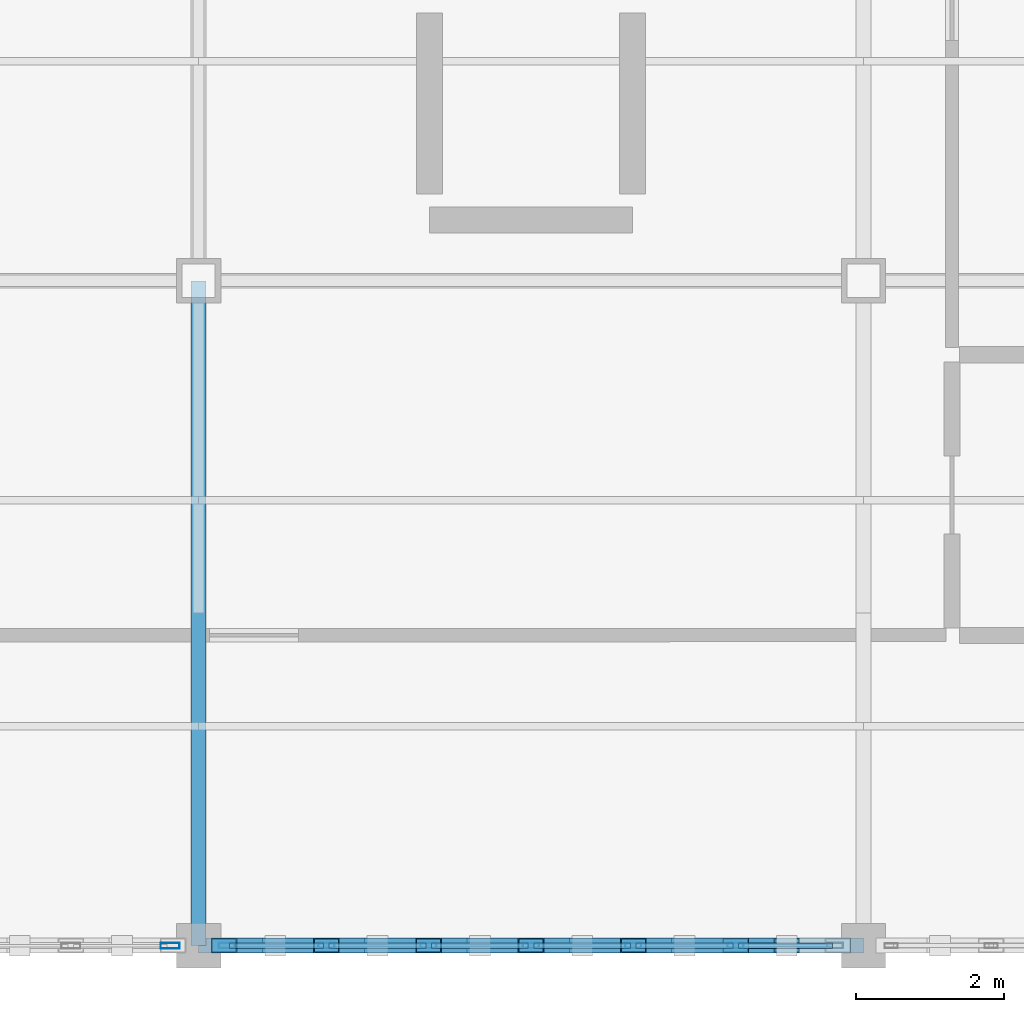
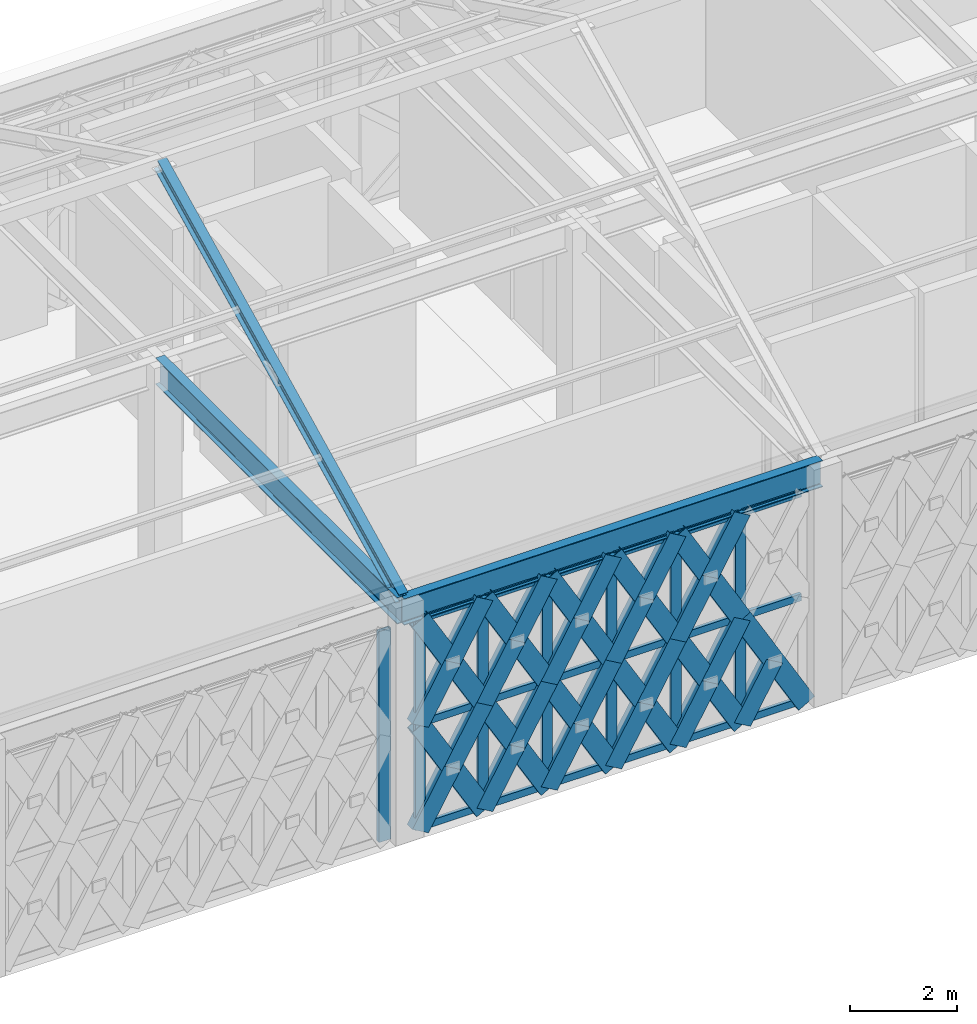
# One storey, part 7 of 32: 58 members, 2 beams, 2 elements without a shape of their own.
"""IFC4 building model written with IfcOpenShell, lengths in metres."""

import ifcopenshell
import ifcopenshell.guid

model = None  # the IFC model being written
_history = None  # IfcOwnerHistory: only IFC2X3 demands one
_inside = {}  # id of a spatial element -> (the spatial element, [elements in it])
_under = {}  # id of a project, library or spatial element -> (it, [spatial elements below it])
_declared = {}  # id of a project -> (the project, [libraries it declares])
_typed = {}  # id of a type object -> (the type object, [elements of that type])
_made_of = {}  # id of a material, layer set ... -> (it, [elements and type objects made of it])


def new_model(schema):
    """Start an empty IFC model of exactly this schema.

    Asked for "IFC4X3", IfcOpenShell would pick the latest addendum, in which some entities
    have other attributes; the version numbers below select the first issue.
    IFC2X3 requires an IfcOwnerHistory on every rooted entity: one is made here for all.
    """
    global model, _history
    if schema == "IFC4X3":
        model = ifcopenshell.file(schema_version=(4, 3, 0, 0))
    else:
        model = ifcopenshell.file(schema=schema)
    _inside.clear()
    _under.clear()
    _declared.clear()
    _typed.clear()
    _made_of.clear()
    _history = None
    if model.schema == "IFC2X3":
        org = make("IfcOrganization", Name="unknown")
        user = make(
            "IfcPersonAndOrganization",
            ThePerson=make("IfcPerson", FamilyName="unknown"),
            TheOrganization=org,
        )
        app = make(
            "IfcApplication",
            ApplicationDeveloper=org,
            Version="unknown",
            ApplicationFullName="unknown",
            ApplicationIdentifier="unknown",
        )
        _history = make(
            "IfcOwnerHistory",
            OwningUser=user,
            OwningApplication=app,
            ChangeAction="ADDED",
            CreationDate=0,
        )
    return model


def make(cls, **values):
    """One entity of the class cls with the attributes given. An attribute that is None is left unset."""
    return model.create_entity(
        cls, **{name: value for name, value in values.items() if value is not None}
    )


def rooted(cls, **values):
    """An entity with a GlobalId (a new one), such as an element, a storey or a relation."""
    return make(cls, GlobalId=ifcopenshell.guid.new(), OwnerHistory=_history, **values)


def si_unit(unit_type, name, prefix=None):
    """IfcSIUnit, for example si_unit("LENGTHUNIT", "METRE", prefix="MILLI")."""
    return make("IfcSIUnit", UnitType=unit_type, Prefix=prefix, Name=name)


def assignment(units):
    """IfcUnitAssignment: the units of a project."""
    return None if units is None else make("IfcUnitAssignment", Units=units)


def point(xyz):
    """IfcCartesianPoint."""
    return None if xyz is None else make("IfcCartesianPoint", Coordinates=xyz)


def direction(xyz):
    """IfcDirection."""
    return None if xyz is None else make("IfcDirection", DirectionRatios=xyz)


def frame(location, z_axis=None, x_axis=None):
    """IfcAxis2Placement3D, a coordinate frame: its origin and axes. An axis left out is left unset."""
    return make(
        "IfcAxis2Placement3D",
        Location=point(location),
        Axis=direction(z_axis),
        RefDirection=direction(x_axis),
    )


def frame_2d(location, x_axis=None):
    """IfcAxis2Placement2D, a coordinate frame in the plane: its origin and x axis."""
    return make(
        "IfcAxis2Placement2D", Location=point(location), RefDirection=direction(x_axis)
    )


def origin():
    """The frame at (0, 0, 0) with its axes left unset."""
    return frame((0.0, 0.0, 0.0))


def origin_2d():
    """The frame at (0, 0) in the plane with its x axis left unset."""
    return frame_2d((0.0, 0.0))


def place(relative_to, where):
    """IfcLocalPlacement: puts the frame where relative to a parent placement (None: the world)."""
    return make(
        "IfcLocalPlacement", PlacementRelTo=relative_to, RelativePlacement=where
    )


def context(
    kind, dimensions, precision=None, world=None, true_north=None, identifier=None
):
    """IfcGeometricRepresentationContext, for example the 3D "Model" context."""
    return make(
        "IfcGeometricRepresentationContext",
        ContextIdentifier=identifier,
        ContextType=kind,
        CoordinateSpaceDimension=dimensions,
        Precision=precision,
        WorldCoordinateSystem=world,
        TrueNorth=true_north,
    )


def subcontext(parent, identifier, kind, view, scale=None):
    """IfcGeometricRepresentationSubContext, for example "Body" below "Model"."""
    return make(
        "IfcGeometricRepresentationSubContext",
        ContextIdentifier=identifier,
        ContextType=kind,
        ParentContext=parent,
        TargetScale=scale,
        TargetView=view,
    )


def project(units=None, contexts=None):
    """IfcProject with its units and contexts."""
    return rooted(
        "IfcProject",
        Name="project",
        RepresentationContexts=contexts,
        UnitsInContext=assignment(units),
    )


def spatial(cls, under=None, at=None, **own):
    """A site, building, storey or space (cls), placed at a placement, below another one or the project."""
    s = rooted(cls, ObjectPlacement=at, **own)
    if under is not None:
        _under.setdefault(under.id(), (under, []))[1].append(s)
    return s


def profile(cls, at=None, kind="AREA", **sizes):
    """A parametric profile (cls). Its sizes go by their IFC names, for example OverallWidth=200.0."""
    return make(cls, ProfileType=kind, Position=at, **sizes)


def hollow_rectangle(**sizes):
    """IfcRectangleHollowProfileDef."""
    return profile("IfcRectangleHollowProfileDef", **sizes)


def i_section(**sizes):
    """IfcIShapeProfileDef."""
    return profile("IfcIShapeProfileDef", **sizes)


def extrude(swept, where, along, depth):
    """IfcExtrudedAreaSolid: the profile swept, set in the frame where, extruded along a direction by depth."""
    return make(
        "IfcExtrudedAreaSolid",
        SweptArea=swept,
        Position=where,
        ExtrudedDirection=direction(along),
        Depth=depth,
    )


def shape(context_of_items, identifier, shape_type, items):
    """IfcShapeRepresentation: the items that make up one representation, for example the "Body"."""
    return make(
        "IfcShapeRepresentation",
        ContextOfItems=context_of_items,
        RepresentationIdentifier=identifier,
        RepresentationType=shape_type,
        Items=items,
    )


def material(Name=None, Category=None):
    """IfcMaterial."""
    return make("IfcMaterial", Name=Name, Category=Category)


def material_profile(
    of_material, cross_section, Name=None, Category=None, Priority=None
):
    """IfcMaterialProfile: a cross section and its material."""
    return make(
        "IfcMaterialProfile",
        Name=Name,
        Material=of_material,
        Profile=cross_section,
        Priority=Priority,
        Category=Category,
    )


def profile_set(profiles, Name=None, composite=None):
    """IfcMaterialProfileSet."""
    return make(
        "IfcMaterialProfileSet",
        Name=Name,
        MaterialProfiles=profiles,
        CompositeProfile=composite,
    )


def made_of(thing, what):
    """Note that an element or type object is made of a material, layer set ...; save() writes the relation."""
    if what is not None:
        _made_of.setdefault(what.id(), (what, []))[1].append(thing)
    return thing


def type_object(cls, material=None, **own):
    """A type object (cls), such as IfcWallType, which elements share."""
    return made_of(rooted(cls, **own), material)


def element(
    cls,
    number,
    at=None,
    inside=None,
    cuts=None,
    type_object=None,
    material=None,
    context=None,
    identifier="Body",
    shape_type=None,
    held_by="IfcProductDefinitionShape",
    body=None,
    shapes=None,
    **own,
):
    """One element of the class cls, such as IfcWall. Its Tag is "e" and its number.

    at: its placement. inside: the storey or other place that contains it. cuts: it is an
    opening in that element (IfcRelVoidsElement). A single representation is given by context,
    identifier, shape_type and body (its items); several are given by shapes. held_by: the class
    of the entity that holds the representations. save() writes the other relations.
    """
    e = rooted(cls, Tag="e%d" % number, ObjectPlacement=at, **own)
    if body is not None:
        shapes = [shape(context, identifier, shape_type, body)]
    if shapes is not None:
        e.Representation = make(held_by, Representations=shapes)
    if inside is not None:
        _inside.setdefault(inside.id(), (inside, []))[1].append(e)
    if cuts is not None:
        rooted(
            "IfcRelVoidsElement", RelatingBuildingElement=cuts, RelatedOpeningElement=e
        )
    if type_object is not None:
        _typed.setdefault(type_object.id(), (type_object, []))[1].append(e)
    return made_of(e, material)


def aggregate(whole, parts):
    """IfcRelAggregates: a whole, such as a stair, and the parts it consists of."""
    return rooted("IfcRelAggregates", RelatingObject=whole, RelatedObjects=parts)


def save(model, path):
    """Write the relations noted so far, then the file.

    IfcRelAggregates (storeys below a building ...), IfcRelContainedInSpatialStructure (elements
    in a storey), IfcRelDefinesByType, IfcRelAssociatesMaterial and IfcRelDeclares: one each for
    every whole, place, type object, material and project.
    """
    for whole, parts in _under.values():
        aggregate(whole, parts)
    for where, things in _inside.values():
        rooted(
            "IfcRelContainedInSpatialStructure",
            RelatedElements=things,
            RelatingStructure=where,
        )
    for kind, things in _typed.values():
        rooted("IfcRelDefinesByType", RelatedObjects=things, RelatingType=kind)
    for what, things in _made_of.values():
        rooted("IfcRelAssociatesMaterial", RelatedObjects=things, RelatingMaterial=what)
    for by, libraries in _declared.values():
        rooted("IfcRelDeclares", RelatingContext=by, RelatedDefinitions=libraries)
    model.write(path)


model = new_model("IFC4")

# Units and contexts
model_context = context("Model", 3, precision=1e-05, world=origin(), true_north=direction((0.0, 1.0)))
body_context = subcontext(model_context, "Body", "Model", "MODEL_VIEW")
ifc_project = project(units=[si_unit("LENGTHUNIT", "METRE"), si_unit("AREAUNIT", "SQUARE_METRE"), si_unit("VOLUMEUNIT", "CUBIC_METRE"), si_unit("PLANEANGLEUNIT", "RADIAN"), si_unit("MASSUNIT", "GRAM", prefix="KILO")], contexts=[model_context])

# Site, building, storey
site_placement = place(None, origin())
site = spatial("IfcSite", under=ifc_project, at=site_placement, CompositionType="ELEMENT")
building_placement = place(site_placement, origin())
building = spatial("IfcBuilding", under=site, at=building_placement, Name="Haizhuo Lancet Aquarium", CompositionType="ELEMENT")
storey_placement = place(building_placement, frame((0.0, 0.0, 27.0)))
storey = spatial("IfcBuildingStorey", under=building, at=storey_placement, Name="L05", CompositionType="ELEMENT", Elevation=27.0)

# Beams
ifc_material_1 = material(Name="Steel S355", Category="steel")
ifc_material_profile_1 = material_profile(ifc_material_1, i_section(OverallWidth=0.199951171875, OverallDepth=0.60009765625, WebThickness=0.010986328125, FlangeThickness=0.01708984375, FilletRadius=0.02197265625, at=origin_2d()), Name="HN 600x200x11x17")
ifc_profile_set_1 = profile_set([ifc_material_profile_1], Name="Steel S355")
beam_type = type_object("IfcBeamType", Name="BM-ST-HN600", PredefinedType="BEAM", material=ifc_profile_set_1)
for number, where, z_axis, x_axis, name in (
    (1, (-63.0, -27.0, 5.10009765625), (0.0, 1.0, 0.0), (-1.0, 0.0, 0.0), "L05 V6 primary girder BM-L05-V6-009"),
    (2, (-63.0, -27.0, 5.10009765625), (1.0, 0.0, 0.0), (0.0, 1.0, 0.0), "L05 V6 primary girder BM-L05-V6-010"),
):
    element("IfcBeam", number, at=place(storey_placement, frame(where, z_axis=z_axis, x_axis=x_axis)), inside=storey, type_object=beam_type, Name=name, PredefinedType="BEAM", context=body_context, shape_type="SweptSolid", body=[
        extrude(i_section(OverallWidth=0.199951171875, OverallDepth=0.60009765625, WebThickness=0.010986328125, FlangeThickness=0.01708984375, FilletRadius=0.02197265625, at=origin_2d()), origin(), (0.0, 0.0, 1.0), 9.0),
    ])

# Curtain wall, members
ifc_material_2 = material(Name="Aluminium 6063-T6", Category="aluminium")
curtain_wall_type = type_object("IfcCurtainWallType", Name="CWD-8310x4800", PredefinedType="NOTDEFINED", material=ifc_material_2)
curtain_wall_1_placement = place(storey_placement, origin())
curtain_wall_1 = element("IfcCurtainWall", 3, at=curtain_wall_1_placement, inside=storey, type_object=curtain_wall_type, Name="L05 curtain wall CW-V6-L05-269", PredefinedType="NOTDEFINED")
ifc_material_profile_2 = material_profile(ifc_material_2, hollow_rectangle(XDim=0.074951171875, YDim=0.219970703125, WallThickness=0.0048828125, at=origin_2d()), Name="ALU-M 75x220x5")
ifc_profile_set_2 = profile_set([ifc_material_profile_2], Name="Aluminium 6063-T6")
member_type_1 = type_object("IfcMemberType", Name="CW-MUL-2", PredefinedType="MULLION", material=ifc_profile_set_2)
member_1_placement = place(storey_placement, frame((-55.72998046875, -27.0, 0.0), z_axis=(0.0, 0.0, 1.0), x_axis=(0.0, -1.0, 0.0)))
member_1 = element("IfcMember", 4, at=member_1_placement, type_object=member_type_1, Name="CWD-83x48 mullion 2", PredefinedType="MULLION", context=body_context, shape_type="SweptSolid", body=[
    extrude(hollow_rectangle(XDim=0.074951171875, YDim=0.219970703125, WallThickness=0.0048828125, at=origin_2d()), origin(), (0.0, 0.0, 1.0), 4.800048828125),
])
member_2_placement = place(storey_placement, frame((-57.114990234375, -27.0, 0.0), z_axis=(0.0, 0.0, 1.0), x_axis=(0.0, -1.0, 0.0)))
member_2 = element("IfcMember", 5, at=member_2_placement, type_object=member_type_1, Name="CWD-83x48 mullion 3", PredefinedType="MULLION", context=body_context, shape_type="SweptSolid", body=[
    extrude(hollow_rectangle(XDim=0.074951171875, YDim=0.219970703125, WallThickness=0.0048828125, at=origin_2d()), origin(), (0.0, 0.0, 1.0), 4.800048828125),
])
member_3_placement = place(storey_placement, frame((-58.5, -27.0, 0.0), z_axis=(0.0, 0.0, 1.0), x_axis=(0.0, -1.0, 0.0)))
member_3 = element("IfcMember", 6, at=member_3_placement, type_object=member_type_1, Name="CWD-83x48 mullion 4", PredefinedType="MULLION", context=body_context, shape_type="SweptSolid", body=[
    extrude(hollow_rectangle(XDim=0.074951171875, YDim=0.219970703125, WallThickness=0.0048828125, at=origin_2d()), origin(), (0.0, 0.0, 1.0), 4.800048828125),
])
member_4_placement = place(storey_placement, frame((-59.885009765625, -27.0, 0.0), z_axis=(0.0, 0.0, 1.0), x_axis=(0.0, -1.0, 0.0)))
member_4 = element("IfcMember", 7, at=member_4_placement, type_object=member_type_1, Name="CWD-83x48 mullion 5", PredefinedType="MULLION", context=body_context, shape_type="SweptSolid", body=[
    extrude(hollow_rectangle(XDim=0.074951171875, YDim=0.219970703125, WallThickness=0.0048828125, at=origin_2d()), origin(), (0.0, 0.0, 1.0), 4.800048828125),
])
member_5_placement = place(storey_placement, frame((-61.27001953125, -27.0, 0.0), z_axis=(0.0, 0.0, 1.0), x_axis=(0.0, -1.0, 0.0)))
member_5 = element("IfcMember", 8, at=member_5_placement, type_object=member_type_1, Name="CWD-83x48 mullion 6", PredefinedType="MULLION", context=body_context, shape_type="SweptSolid", body=[
    extrude(hollow_rectangle(XDim=0.074951171875, YDim=0.219970703125, WallThickness=0.0048828125, at=origin_2d()), origin(), (0.0, 0.0, 1.0), 4.800048828125),
])
member_6_placement = place(storey_placement, frame((-62.616943359375, -27.0, 0.0), z_axis=(0.0, 0.0, 1.0), x_axis=(0.0, -1.0, 0.0)))
member_6 = element("IfcMember", 9, at=member_6_placement, type_object=member_type_1, Name="CWD-83x48 mullion 7", PredefinedType="MULLION", context=body_context, shape_type="SweptSolid", body=[
    extrude(hollow_rectangle(XDim=0.074951171875, YDim=0.219970703125, WallThickness=0.0048828125, at=origin_2d()), origin(), (0.0, 0.0, 1.0), 4.800048828125),
])

# Curtain wall, member
curtain_wall_2_placement = place(storey_placement, origin())
curtain_wall_2 = element("IfcCurtainWall", 10, at=curtain_wall_2_placement, inside=storey, type_object=curtain_wall_type, Name="L05 curtain wall CW-V6-L05-270", PredefinedType="NOTDEFINED")
ifc_material_profile_3 = material_profile(ifc_material_2, hollow_rectangle(XDim=0.080078125, YDim=0.260009765625, WallThickness=0.0048828125, at=origin_2d()), Name="ALU-M 80x260x5")
ifc_profile_set_3 = profile_set([ifc_material_profile_3], Name="Aluminium 6063-T6")
member_type_2 = type_object("IfcMemberType", Name="CW-MUL-3", PredefinedType="MULLION", material=ifc_profile_set_3)
member_7_placement = place(storey_placement, frame((-63.385009765625, -27.0, 0.0), z_axis=(0.0, 0.0, 1.0), x_axis=(0.0, -1.0, 0.0)))
member_7 = element("IfcMember", 11, at=member_7_placement, type_object=member_type_2, Name="CWD-83x48 mullion 1", PredefinedType="MULLION", context=body_context, shape_type="SweptSolid", body=[
    extrude(hollow_rectangle(XDim=0.080078125, YDim=0.260009765625, WallThickness=0.0048828125, at=origin_2d()), origin(), (0.0, 0.0, 1.0), 4.800048828125),
])
aggregate(curtain_wall_2, [member_7])

# Member
ifc_material_profile_4 = material_profile(ifc_material_2, hollow_rectangle(XDim=0.074951171875, YDim=0.159912109375, WallThickness=0.00390625, at=origin_2d()), Name="ALU-T 75x160x4")
ifc_profile_set_4 = profile_set([ifc_material_profile_4], Name="Aluminium 6063-T6")
member_type_3 = type_object("IfcMemberType", Name="CW-TRN-2", PredefinedType="NOTDEFINED", material=ifc_profile_set_4)
member_8_placement = place(storey_placement, frame((-54.419921875, -27.0, 0.0380859375), z_axis=(-1.0, 0.0, 0.0), x_axis=(0.0, -1.0, 0.0)))
member_8 = element("IfcMember", 12, at=member_8_placement, type_object=member_type_3, Name="CWD-83x48 transom 1.1", ObjectType="TRANSOM", PredefinedType="USERDEFINED", context=body_context, shape_type="SweptSolid", body=[
    extrude(hollow_rectangle(XDim=0.074951171875, YDim=0.159912109375, WallThickness=0.00390625, at=origin_2d()), origin(), (0.0, 0.0, 1.0), 1.273193359375),
])

member_9_placement = place(storey_placement, frame((-54.419921875, -27.0, 2.39990234375), z_axis=(-1.0, 0.0, 0.0), x_axis=(0.0, -1.0, 0.0)))
member_9 = element("IfcMember", 13, at=member_9_placement, type_object=member_type_3, Name="CWD-83x48 transom 1.2", ObjectType="TRANSOM", PredefinedType="USERDEFINED", context=body_context, shape_type="SweptSolid", body=[
    extrude(hollow_rectangle(XDim=0.074951171875, YDim=0.159912109375, WallThickness=0.00390625, at=origin_2d()), origin(), (0.0, 0.0, 1.0), 1.273193359375),
])

member_10_placement = place(storey_placement, frame((-54.419921875, -27.0, 4.761962890625), z_axis=(-1.0, 0.0, 0.0), x_axis=(0.0, -1.0, 0.0)))
member_10 = element("IfcMember", 14, at=member_10_placement, type_object=member_type_3, Name="CWD-83x48 transom 1.3", ObjectType="TRANSOM", PredefinedType="USERDEFINED", context=body_context, shape_type="SweptSolid", body=[
    extrude(hollow_rectangle(XDim=0.074951171875, YDim=0.159912109375, WallThickness=0.00390625, at=origin_2d()), origin(), (0.0, 0.0, 1.0), 1.273193359375),
])

member_11_placement = place(storey_placement, frame((-55.76708984375, -27.0, 0.0380859375), z_axis=(-1.0, 0.0, 0.0), x_axis=(0.0, -1.0, 0.0)))
member_11 = element("IfcMember", 15, at=member_11_placement, type_object=member_type_3, Name="CWD-83x48 transom 2.1", ObjectType="TRANSOM", PredefinedType="USERDEFINED", context=body_context, shape_type="SweptSolid", body=[
    extrude(hollow_rectangle(XDim=0.074951171875, YDim=0.159912109375, WallThickness=0.00390625, at=origin_2d()), origin(), (0.0, 0.0, 1.0), 1.310791015625),
])

member_12_placement = place(storey_placement, frame((-55.76708984375, -27.0, 2.39990234375), z_axis=(-1.0, 0.0, 0.0), x_axis=(0.0, -1.0, 0.0)))
member_12 = element("IfcMember", 16, at=member_12_placement, type_object=member_type_3, Name="CWD-83x48 transom 2.2", ObjectType="TRANSOM", PredefinedType="USERDEFINED", context=body_context, shape_type="SweptSolid", body=[
    extrude(hollow_rectangle(XDim=0.074951171875, YDim=0.159912109375, WallThickness=0.00390625, at=origin_2d()), origin(), (0.0, 0.0, 1.0), 1.310791015625),
])

member_13_placement = place(storey_placement, frame((-55.76708984375, -27.0, 4.761962890625), z_axis=(-1.0, 0.0, 0.0), x_axis=(0.0, -1.0, 0.0)))
member_13 = element("IfcMember", 17, at=member_13_placement, type_object=member_type_3, Name="CWD-83x48 transom 2.3", ObjectType="TRANSOM", PredefinedType="USERDEFINED", context=body_context, shape_type="SweptSolid", body=[
    extrude(hollow_rectangle(XDim=0.074951171875, YDim=0.159912109375, WallThickness=0.00390625, at=origin_2d()), origin(), (0.0, 0.0, 1.0), 1.310791015625),
])

member_14_placement = place(storey_placement, frame((-57.153076171875, -27.0, 0.0380859375), z_axis=(-1.0, 0.0, 0.0), x_axis=(0.0, -1.0, 0.0)))
member_14 = element("IfcMember", 18, at=member_14_placement, type_object=member_type_3, Name="CWD-83x48 transom 3.1", ObjectType="TRANSOM", PredefinedType="USERDEFINED", context=body_context, shape_type="SweptSolid", body=[
    extrude(hollow_rectangle(XDim=0.074951171875, YDim=0.159912109375, WallThickness=0.00390625, at=origin_2d()), origin(), (0.0, 0.0, 1.0), 1.308837890625),
])

member_15_placement = place(storey_placement, frame((-57.153076171875, -27.0, 2.39990234375), z_axis=(-1.0, 0.0, 0.0), x_axis=(0.0, -1.0, 0.0)))
member_15 = element("IfcMember", 19, at=member_15_placement, type_object=member_type_3, Name="CWD-83x48 transom 3.2", ObjectType="TRANSOM", PredefinedType="USERDEFINED", context=body_context, shape_type="SweptSolid", body=[
    extrude(hollow_rectangle(XDim=0.074951171875, YDim=0.159912109375, WallThickness=0.00390625, at=origin_2d()), origin(), (0.0, 0.0, 1.0), 1.308837890625),
])

member_16_placement = place(storey_placement, frame((-57.153076171875, -27.0, 4.761962890625), z_axis=(-1.0, 0.0, 0.0), x_axis=(0.0, -1.0, 0.0)))
member_16 = element("IfcMember", 20, at=member_16_placement, type_object=member_type_3, Name="CWD-83x48 transom 3.3", ObjectType="TRANSOM", PredefinedType="USERDEFINED", context=body_context, shape_type="SweptSolid", body=[
    extrude(hollow_rectangle(XDim=0.074951171875, YDim=0.159912109375, WallThickness=0.00390625, at=origin_2d()), origin(), (0.0, 0.0, 1.0), 1.308837890625),
])

member_17_placement = place(storey_placement, frame((-58.5380859375, -27.0, 0.0380859375), z_axis=(-1.0, 0.0, 0.0), x_axis=(0.0, -1.0, 0.0)))
member_17 = element("IfcMember", 21, at=member_17_placement, type_object=member_type_3, Name="CWD-83x48 transom 4.1", ObjectType="TRANSOM", PredefinedType="USERDEFINED", context=body_context, shape_type="SweptSolid", body=[
    extrude(hollow_rectangle(XDim=0.074951171875, YDim=0.159912109375, WallThickness=0.00390625, at=origin_2d()), origin(), (0.0, 0.0, 1.0), 1.309814453125),
])

member_18_placement = place(storey_placement, frame((-58.5380859375, -27.0, 2.39990234375), z_axis=(-1.0, 0.0, 0.0), x_axis=(0.0, -1.0, 0.0)))
member_18 = element("IfcMember", 22, at=member_18_placement, type_object=member_type_3, Name="CWD-83x48 transom 4.2", ObjectType="TRANSOM", PredefinedType="USERDEFINED", context=body_context, shape_type="SweptSolid", body=[
    extrude(hollow_rectangle(XDim=0.074951171875, YDim=0.159912109375, WallThickness=0.00390625, at=origin_2d()), origin(), (0.0, 0.0, 1.0), 1.309814453125),
])

member_19_placement = place(storey_placement, frame((-58.5380859375, -27.0, 4.761962890625), z_axis=(-1.0, 0.0, 0.0), x_axis=(0.0, -1.0, 0.0)))
member_19 = element("IfcMember", 23, at=member_19_placement, type_object=member_type_3, Name="CWD-83x48 transom 4.3", ObjectType="TRANSOM", PredefinedType="USERDEFINED", context=body_context, shape_type="SweptSolid", body=[
    extrude(hollow_rectangle(XDim=0.074951171875, YDim=0.159912109375, WallThickness=0.00390625, at=origin_2d()), origin(), (0.0, 0.0, 1.0), 1.309814453125),
])

member_20_placement = place(storey_placement, frame((-59.922119140625, -27.0, 0.0380859375), z_axis=(-1.0, 0.0, 0.0), x_axis=(0.0, -1.0, 0.0)))
member_20 = element("IfcMember", 24, at=member_20_placement, type_object=member_type_3, Name="CWD-83x48 transom 5.1", ObjectType="TRANSOM", PredefinedType="USERDEFINED", context=body_context, shape_type="SweptSolid", body=[
    extrude(hollow_rectangle(XDim=0.074951171875, YDim=0.159912109375, WallThickness=0.00390625, at=origin_2d()), origin(), (0.0, 0.0, 1.0), 1.310791015625),
])

member_21_placement = place(storey_placement, frame((-59.922119140625, -27.0, 2.39990234375), z_axis=(-1.0, 0.0, 0.0), x_axis=(0.0, -1.0, 0.0)))
member_21 = element("IfcMember", 25, at=member_21_placement, type_object=member_type_3, Name="CWD-83x48 transom 5.2", ObjectType="TRANSOM", PredefinedType="USERDEFINED", context=body_context, shape_type="SweptSolid", body=[
    extrude(hollow_rectangle(XDim=0.074951171875, YDim=0.159912109375, WallThickness=0.00390625, at=origin_2d()), origin(), (0.0, 0.0, 1.0), 1.310791015625),
])

member_22_placement = place(storey_placement, frame((-59.922119140625, -27.0, 4.761962890625), z_axis=(-1.0, 0.0, 0.0), x_axis=(0.0, -1.0, 0.0)))
member_22 = element("IfcMember", 26, at=member_22_placement, type_object=member_type_3, Name="CWD-83x48 transom 5.3", ObjectType="TRANSOM", PredefinedType="USERDEFINED", context=body_context, shape_type="SweptSolid", body=[
    extrude(hollow_rectangle(XDim=0.074951171875, YDim=0.159912109375, WallThickness=0.00390625, at=origin_2d()), origin(), (0.0, 0.0, 1.0), 1.310791015625),
])

member_23_placement = place(storey_placement, frame((-61.30810546875, -27.0, 0.0380859375), z_axis=(-1.0, 0.0, 0.0), x_axis=(0.0, -1.0, 0.0)))
member_23 = element("IfcMember", 27, at=member_23_placement, type_object=member_type_3, Name="CWD-83x48 transom 6.1", ObjectType="TRANSOM", PredefinedType="USERDEFINED", context=body_context, shape_type="SweptSolid", body=[
    extrude(hollow_rectangle(XDim=0.074951171875, YDim=0.159912109375, WallThickness=0.00390625, at=origin_2d()), origin(), (0.0, 0.0, 1.0), 1.27197265625),
])

member_24_placement = place(storey_placement, frame((-61.30810546875, -27.0, 2.39990234375), z_axis=(-1.0, 0.0, 0.0), x_axis=(0.0, -1.0, 0.0)))
member_24 = element("IfcMember", 28, at=member_24_placement, type_object=member_type_3, Name="CWD-83x48 transom 6.2", ObjectType="TRANSOM", PredefinedType="USERDEFINED", context=body_context, shape_type="SweptSolid", body=[
    extrude(hollow_rectangle(XDim=0.074951171875, YDim=0.159912109375, WallThickness=0.00390625, at=origin_2d()), origin(), (0.0, 0.0, 1.0), 1.27197265625),
])

member_25_placement = place(storey_placement, frame((-61.30810546875, -27.0, 4.761962890625), z_axis=(-1.0, 0.0, 0.0), x_axis=(0.0, -1.0, 0.0)))
member_25 = element("IfcMember", 29, at=member_25_placement, type_object=member_type_3, Name="CWD-83x48 transom 6.3", ObjectType="TRANSOM", PredefinedType="USERDEFINED", context=body_context, shape_type="SweptSolid", body=[
    extrude(hollow_rectangle(XDim=0.074951171875, YDim=0.159912109375, WallThickness=0.00390625, at=origin_2d()), origin(), (0.0, 0.0, 1.0), 1.27197265625),
])

aggregate(curtain_wall_1, [member_1, member_2, member_3, member_4, member_5, member_6, member_8, member_9, member_10, member_11, member_12, member_13, member_14, member_15, member_16, member_17, member_18, member_19, member_20, member_21, member_22, member_23, member_24, member_25])

# Members
ifc_material_profile_5 = material_profile(ifc_material_1, hollow_rectangle(XDim=0.199951171875, YDim=0.39990234375, WallThickness=0.011962890625, at=origin_2d()), Name="RHS 200x400x12")
ifc_profile_set_5 = profile_set([ifc_material_profile_5], Name="Steel S355")
member_type_4 = type_object("IfcMemberType", Name="MEM-LB-RHS200x400", PredefinedType="BRACE", material=ifc_profile_set_5)
member_26_placement = place(storey_placement, frame((-54.344970703125, -27.0, 0.0), z_axis=(-0.499844491261, 0.0, 0.866115168182), x_axis=(0.0, -1.0, 0.0)))
element("IfcMember", 30, at=member_26_placement, inside=storey, type_object=member_type_4, Name="Gothic lancet continuous diagonal brace CW-V6-L05-269 1A", PredefinedType="BRACE", context=body_context, shape_type="SweptSolid", body=[
    extrude(hollow_rectangle(XDim=0.199951171875, YDim=0.39990234375, WallThickness=0.011962890625, at=origin_2d()), origin(), (0.0, 0.0, 1.0), 2.77099609375),
])
member_27_placement = place(storey_placement, frame((-55.72998046875, -27.0, 0.0), z_axis=(0.500042739161, 0.0, 0.866000726912), x_axis=(0.0, 1.0, 0.0)))
element("IfcMember", 31, at=member_27_placement, inside=storey, type_object=member_type_4, Name="Gothic lancet split diagonal brace CW-V6-L05-269 1B1", PredefinedType="BRACE", context=body_context, shape_type="SweptSolid", body=[
    extrude(hollow_rectangle(XDim=0.199951171875, YDim=0.39990234375, WallThickness=0.011962890625, at=origin_2d()), origin(), (0.0, 0.0, 1.0), 1.3857421875),
])
member_28_placement = place(storey_placement, frame((-55.72998046875, -27.0, 0.0), z_axis=(-0.499844491261, 0.0, 0.866115168182), x_axis=(0.0, -1.0, 0.0)))
element("IfcMember", 32, at=member_28_placement, inside=storey, type_object=member_type_4, Name="Gothic lancet continuous diagonal brace CW-V6-L05-269 3A", PredefinedType="BRACE", context=body_context, shape_type="SweptSolid", body=[
    extrude(hollow_rectangle(XDim=0.199951171875, YDim=0.39990234375, WallThickness=0.011962890625, at=origin_2d()), origin(), (0.0, 0.0, 1.0), 2.77099609375),
])
member_29_placement = place(storey_placement, frame((-57.114990234375, -27.0, 0.0), z_axis=(0.500042739161, 0.0, 0.866000726912), x_axis=(0.0, 1.0, 0.0)))
element("IfcMember", 33, at=member_29_placement, inside=storey, type_object=member_type_4, Name="Gothic lancet split diagonal brace CW-V6-L05-269 3B1", PredefinedType="BRACE", context=body_context, shape_type="SweptSolid", body=[
    extrude(hollow_rectangle(XDim=0.199951171875, YDim=0.39990234375, WallThickness=0.011962890625, at=origin_2d()), origin(), (0.0, 0.0, 1.0), 1.3857421875),
])
member_30_placement = place(storey_placement, frame((-56.422119140625, -27.0, 1.199951171875), z_axis=(0.499646164767, 0.0, 0.866229594296), x_axis=(0.0, 1.0, 0.0)))
element("IfcMember", 34, at=member_30_placement, inside=storey, type_object=member_type_4, Name="Gothic lancet split diagonal brace CW-V6-L05-269 3B2", PredefinedType="BRACE", context=body_context, shape_type="SweptSolid", body=[
    extrude(hollow_rectangle(XDim=0.199951171875, YDim=0.39990234375, WallThickness=0.011962890625, at=origin_2d()), origin(), (0.0, 0.0, 1.0), 1.38525390625),
])
member_31_placement = place(storey_placement, frame((-55.72998046875, -27.0, 2.39990234375), z_axis=(-0.499806349121, 0.0, 0.866137179307), x_axis=(0.0, -1.0, 0.0)))
element("IfcMember", 35, at=member_31_placement, inside=storey, type_object=member_type_4, Name="Gothic lancet continuous diagonal brace CW-V6-L05-269 4A", PredefinedType="BRACE", context=body_context, shape_type="SweptSolid", body=[
    extrude(hollow_rectangle(XDim=0.199951171875, YDim=0.39990234375, WallThickness=0.011962890625, at=origin_2d()), origin(), (0.0, 0.0, 1.0), 2.77099609375),
])
member_32_placement = place(storey_placement, frame((-57.114990234375, -27.0, 2.39990234375), z_axis=(0.499966449638, 0.0, 0.866044773228), x_axis=(0.0, 1.0, 0.0)))
element("IfcMember", 36, at=member_32_placement, inside=storey, type_object=member_type_4, Name="Gothic lancet split diagonal brace CW-V6-L05-269 4B1", PredefinedType="BRACE", context=body_context, shape_type="SweptSolid", body=[
    extrude(hollow_rectangle(XDim=0.199951171875, YDim=0.39990234375, WallThickness=0.011962890625, at=origin_2d()), origin(), (0.0, 0.0, 1.0), 1.3857421875),
])
member_33_placement = place(storey_placement, frame((-56.422119140625, -27.0, 3.60009765625), z_axis=(0.499646164767, 0.0, 0.866229594296), x_axis=(0.0, 1.0, 0.0)))
element("IfcMember", 37, at=member_33_placement, inside=storey, type_object=member_type_4, Name="Gothic lancet split diagonal brace CW-V6-L05-269 4B2", PredefinedType="BRACE", context=body_context, shape_type="SweptSolid", body=[
    extrude(hollow_rectangle(XDim=0.199951171875, YDim=0.39990234375, WallThickness=0.011962890625, at=origin_2d()), origin(), (0.0, 0.0, 1.0), 1.38525390625),
])
member_34_placement = place(storey_placement, frame((-57.114990234375, -27.0, 0.0), z_axis=(-0.499844491261, 0.0, 0.866115168182), x_axis=(0.0, -1.0, 0.0)))
element("IfcMember", 38, at=member_34_placement, inside=storey, type_object=member_type_4, Name="Gothic lancet continuous diagonal brace CW-V6-L05-269 5A", PredefinedType="BRACE", context=body_context, shape_type="SweptSolid", body=[
    extrude(hollow_rectangle(XDim=0.199951171875, YDim=0.39990234375, WallThickness=0.011962890625, at=origin_2d()), origin(), (0.0, 0.0, 1.0), 2.77099609375),
])
member_35_placement = place(storey_placement, frame((-58.5, -27.0, 0.0), z_axis=(0.499513903435, 0.0, 0.86630586993), x_axis=(0.0, 1.0, 0.0)))
element("IfcMember", 39, at=member_35_placement, inside=storey, type_object=member_type_4, Name="Gothic lancet split diagonal brace CW-V6-L05-269 5B1", PredefinedType="BRACE", context=body_context, shape_type="SweptSolid", body=[
    extrude(hollow_rectangle(XDim=0.199951171875, YDim=0.39990234375, WallThickness=0.011962890625, at=origin_2d()), origin(), (0.0, 0.0, 1.0), 1.38525390625),
])
member_36_placement = place(storey_placement, frame((-57.80810546875, -27.0, 1.199951171875), z_axis=(0.500174860769, 0.0, 0.865924424332), x_axis=(0.0, 1.0, 0.0)))
element("IfcMember", 40, at=member_36_placement, inside=storey, type_object=member_type_4, Name="Gothic lancet split diagonal brace CW-V6-L05-269 5B2", PredefinedType="BRACE", context=body_context, shape_type="SweptSolid", body=[
    extrude(hollow_rectangle(XDim=0.199951171875, YDim=0.39990234375, WallThickness=0.011962890625, at=origin_2d()), origin(), (0.0, 0.0, 1.0), 1.3857421875),
])
member_37_placement = place(storey_placement, frame((-57.114990234375, -27.0, 2.39990234375), z_axis=(-0.499806349121, 0.0, 0.866137179307), x_axis=(0.0, -1.0, 0.0)))
element("IfcMember", 41, at=member_37_placement, inside=storey, type_object=member_type_4, Name="Gothic lancet continuous diagonal brace CW-V6-L05-269 6A", PredefinedType="BRACE", context=body_context, shape_type="SweptSolid", body=[
    extrude(hollow_rectangle(XDim=0.199951171875, YDim=0.39990234375, WallThickness=0.011962890625, at=origin_2d()), origin(), (0.0, 0.0, 1.0), 2.77099609375),
])
member_38_placement = place(storey_placement, frame((-58.5, -27.0, 2.39990234375), z_axis=(0.499437640892, 0.0, 0.866349838611), x_axis=(0.0, 1.0, 0.0)))
element("IfcMember", 42, at=member_38_placement, inside=storey, type_object=member_type_4, Name="Gothic lancet split diagonal brace CW-V6-L05-269 6B1", PredefinedType="BRACE", context=body_context, shape_type="SweptSolid", body=[
    extrude(hollow_rectangle(XDim=0.199951171875, YDim=0.39990234375, WallThickness=0.011962890625, at=origin_2d()), origin(), (0.0, 0.0, 1.0), 1.38525390625),
])
member_39_placement = place(storey_placement, frame((-57.80810546875, -27.0, 3.60009765625), z_axis=(0.500174860769, 0.0, 0.865924424332), x_axis=(0.0, 1.0, 0.0)))
element("IfcMember", 43, at=member_39_placement, inside=storey, type_object=member_type_4, Name="Gothic lancet split diagonal brace CW-V6-L05-269 6B2", PredefinedType="BRACE", context=body_context, shape_type="SweptSolid", body=[
    extrude(hollow_rectangle(XDim=0.199951171875, YDim=0.39990234375, WallThickness=0.011962890625, at=origin_2d()), origin(), (0.0, 0.0, 1.0), 1.3857421875),
])
member_40_placement = place(storey_placement, frame((-58.5, -27.0, 0.0), z_axis=(-0.499844491261, 0.0, 0.866115168182), x_axis=(0.0, -1.0, 0.0)))
element("IfcMember", 44, at=member_40_placement, inside=storey, type_object=member_type_4, Name="Gothic lancet continuous diagonal brace CW-V6-L05-269 7A", PredefinedType="BRACE", context=body_context, shape_type="SweptSolid", body=[
    extrude(hollow_rectangle(XDim=0.199951171875, YDim=0.39990234375, WallThickness=0.011962890625, at=origin_2d()), origin(), (0.0, 0.0, 1.0), 2.77099609375),
])
member_41_placement = place(storey_placement, frame((-59.885009765625, -27.0, 0.0), z_axis=(0.500174860769, 0.0, 0.865924424332), x_axis=(0.0, 1.0, 0.0)))
element("IfcMember", 45, at=member_41_placement, inside=storey, type_object=member_type_4, Name="Gothic lancet split diagonal brace CW-V6-L05-269 7B1", PredefinedType="BRACE", context=body_context, shape_type="SweptSolid", body=[
    extrude(hollow_rectangle(XDim=0.199951171875, YDim=0.39990234375, WallThickness=0.011962890625, at=origin_2d()), origin(), (0.0, 0.0, 1.0), 1.3857421875),
])
member_42_placement = place(storey_placement, frame((-59.19189453125, -27.0, 1.199951171875), z_axis=(0.499513903435, 0.0, 0.86630586993), x_axis=(0.0, 1.0, 0.0)))
element("IfcMember", 46, at=member_42_placement, inside=storey, type_object=member_type_4, Name="Gothic lancet split diagonal brace CW-V6-L05-269 7B2", PredefinedType="BRACE", context=body_context, shape_type="SweptSolid", body=[
    extrude(hollow_rectangle(XDim=0.199951171875, YDim=0.39990234375, WallThickness=0.011962890625, at=origin_2d()), origin(), (0.0, 0.0, 1.0), 1.38525390625),
])
member_43_placement = place(storey_placement, frame((-58.5, -27.0, 2.39990234375), z_axis=(-0.499806349121, 0.0, 0.866137179307), x_axis=(0.0, -1.0, 0.0)))
element("IfcMember", 47, at=member_43_placement, inside=storey, type_object=member_type_4, Name="Gothic lancet continuous diagonal brace CW-V6-L05-269 8A", PredefinedType="BRACE", context=body_context, shape_type="SweptSolid", body=[
    extrude(hollow_rectangle(XDim=0.199951171875, YDim=0.39990234375, WallThickness=0.011962890625, at=origin_2d()), origin(), (0.0, 0.0, 1.0), 2.77099609375),
])
member_44_placement = place(storey_placement, frame((-59.885009765625, -27.0, 2.39990234375), z_axis=(0.500098564532, 0.0, 0.865968490046), x_axis=(0.0, 1.0, 0.0)))
element("IfcMember", 48, at=member_44_placement, inside=storey, type_object=member_type_4, Name="Gothic lancet split diagonal brace CW-V6-L05-269 8B1", PredefinedType="BRACE", context=body_context, shape_type="SweptSolid", body=[
    extrude(hollow_rectangle(XDim=0.199951171875, YDim=0.39990234375, WallThickness=0.011962890625, at=origin_2d()), origin(), (0.0, 0.0, 1.0), 1.385986328125),
])
member_45_placement = place(storey_placement, frame((-59.19189453125, -27.0, 3.60009765625), z_axis=(0.499513903435, 0.0, 0.86630586993), x_axis=(0.0, 1.0, 0.0)))
element("IfcMember", 49, at=member_45_placement, inside=storey, type_object=member_type_4, Name="Gothic lancet split diagonal brace CW-V6-L05-269 8B2", PredefinedType="BRACE", context=body_context, shape_type="SweptSolid", body=[
    extrude(hollow_rectangle(XDim=0.199951171875, YDim=0.39990234375, WallThickness=0.011962890625, at=origin_2d()), origin(), (0.0, 0.0, 1.0), 1.38525390625),
])
member_46_placement = place(storey_placement, frame((-59.885009765625, -27.0, 0.0), z_axis=(-0.499844491261, 0.0, 0.866115168182), x_axis=(0.0, -1.0, 0.0)))
element("IfcMember", 50, at=member_46_placement, inside=storey, type_object=member_type_4, Name="Gothic lancet continuous diagonal brace CW-V6-L05-269 9A", PredefinedType="BRACE", context=body_context, shape_type="SweptSolid", body=[
    extrude(hollow_rectangle(XDim=0.199951171875, YDim=0.39990234375, WallThickness=0.011962890625, at=origin_2d()), origin(), (0.0, 0.0, 1.0), 2.77099609375),
])
member_47_placement = place(storey_placement, frame((-61.27001953125, -27.0, 0.0), z_axis=(0.499646164767, 0.0, 0.866229594296), x_axis=(0.0, 1.0, 0.0)))
element("IfcMember", 51, at=member_47_placement, inside=storey, type_object=member_type_4, Name="Gothic lancet split diagonal brace CW-V6-L05-269 9B1", PredefinedType="BRACE", context=body_context, shape_type="SweptSolid", body=[
    extrude(hollow_rectangle(XDim=0.199951171875, YDim=0.39990234375, WallThickness=0.011962890625, at=origin_2d()), origin(), (0.0, 0.0, 1.0), 1.38525390625),
])
member_48_placement = place(storey_placement, frame((-60.577880859375, -27.0, 1.199951171875), z_axis=(0.500042739161, 0.0, 0.866000726912), x_axis=(0.0, 1.0, 0.0)))
element("IfcMember", 52, at=member_48_placement, inside=storey, type_object=member_type_4, Name="Gothic lancet split diagonal brace CW-V6-L05-269 9B2", PredefinedType="BRACE", context=body_context, shape_type="SweptSolid", body=[
    extrude(hollow_rectangle(XDim=0.199951171875, YDim=0.39990234375, WallThickness=0.011962890625, at=origin_2d()), origin(), (0.0, 0.0, 1.0), 1.3857421875),
])
member_49_placement = place(storey_placement, frame((-59.885009765625, -27.0, 2.39990234375), z_axis=(-0.499806349121, 0.0, 0.866137179307), x_axis=(0.0, -1.0, 0.0)))
element("IfcMember", 53, at=member_49_placement, inside=storey, type_object=member_type_4, Name="Gothic lancet continuous diagonal brace CW-V6-L05-269 10A", PredefinedType="BRACE", context=body_context, shape_type="SweptSolid", body=[
    extrude(hollow_rectangle(XDim=0.199951171875, YDim=0.39990234375, WallThickness=0.011962890625, at=origin_2d()), origin(), (0.0, 0.0, 1.0), 2.77099609375),
])
member_50_placement = place(storey_placement, frame((-61.27001953125, -27.0, 2.39990234375), z_axis=(0.49956989546, 0.0, 0.866273582392), x_axis=(0.0, 1.0, 0.0)))
element("IfcMember", 54, at=member_50_placement, inside=storey, type_object=member_type_4, Name="Gothic lancet split diagonal brace CW-V6-L05-269 10B1", PredefinedType="BRACE", context=body_context, shape_type="SweptSolid", body=[
    extrude(hollow_rectangle(XDim=0.199951171875, YDim=0.39990234375, WallThickness=0.011962890625, at=origin_2d()), origin(), (0.0, 0.0, 1.0), 1.385498046875),
])
member_51_placement = place(storey_placement, frame((-60.577880859375, -27.0, 3.60009765625), z_axis=(0.500042739161, 0.0, 0.866000726912), x_axis=(0.0, 1.0, 0.0)))
element("IfcMember", 55, at=member_51_placement, inside=storey, type_object=member_type_4, Name="Gothic lancet split diagonal brace CW-V6-L05-269 10B2", PredefinedType="BRACE", context=body_context, shape_type="SweptSolid", body=[
    extrude(hollow_rectangle(XDim=0.199951171875, YDim=0.39990234375, WallThickness=0.011962890625, at=origin_2d()), origin(), (0.0, 0.0, 1.0), 1.3857421875),
])
member_52_placement = place(storey_placement, frame((-61.27001953125, -27.0, 0.0), z_axis=(-0.499844491261, 0.0, 0.866115168182), x_axis=(0.0, -1.0, 0.0)))
element("IfcMember", 56, at=member_52_placement, inside=storey, type_object=member_type_4, Name="Gothic lancet continuous diagonal brace CW-V6-L05-269 11A", PredefinedType="BRACE", context=body_context, shape_type="SweptSolid", body=[
    extrude(hollow_rectangle(XDim=0.199951171875, YDim=0.39990234375, WallThickness=0.011962890625, at=origin_2d()), origin(), (0.0, 0.0, 1.0), 2.77099609375),
])
member_53_placement = place(storey_placement, frame((-62.655029296875, -27.0, 0.0), z_axis=(0.499646164767, 0.0, 0.866229594296), x_axis=(0.0, 1.0, 0.0)))
element("IfcMember", 57, at=member_53_placement, inside=storey, type_object=member_type_4, Name="Gothic lancet split diagonal brace CW-V6-L05-269 11B1", PredefinedType="BRACE", context=body_context, shape_type="SweptSolid", body=[
    extrude(hollow_rectangle(XDim=0.199951171875, YDim=0.39990234375, WallThickness=0.011962890625, at=origin_2d()), origin(), (0.0, 0.0, 1.0), 1.38525390625),
])
member_54_placement = place(storey_placement, frame((-61.962890625, -27.0, 1.199951171875), z_axis=(0.500042739161, 0.0, 0.866000726912), x_axis=(0.0, 1.0, 0.0)))
element("IfcMember", 58, at=member_54_placement, inside=storey, type_object=member_type_4, Name="Gothic lancet split diagonal brace CW-V6-L05-269 11B2", PredefinedType="BRACE", context=body_context, shape_type="SweptSolid", body=[
    extrude(hollow_rectangle(XDim=0.199951171875, YDim=0.39990234375, WallThickness=0.011962890625, at=origin_2d()), origin(), (0.0, 0.0, 1.0), 1.3857421875),
])
member_55_placement = place(storey_placement, frame((-61.27001953125, -27.0, 2.39990234375), z_axis=(-0.499806349121, 0.0, 0.866137179307), x_axis=(0.0, -1.0, 0.0)))
element("IfcMember", 59, at=member_55_placement, inside=storey, type_object=member_type_4, Name="Gothic lancet continuous diagonal brace CW-V6-L05-269 12A", PredefinedType="BRACE", context=body_context, shape_type="SweptSolid", body=[
    extrude(hollow_rectangle(XDim=0.199951171875, YDim=0.39990234375, WallThickness=0.011962890625, at=origin_2d()), origin(), (0.0, 0.0, 1.0), 2.77099609375),
])
member_56_placement = place(storey_placement, frame((-62.655029296875, -27.0, 2.39990234375), z_axis=(0.49956989546, 0.0, 0.866273582392), x_axis=(0.0, 1.0, 0.0)))
element("IfcMember", 60, at=member_56_placement, inside=storey, type_object=member_type_4, Name="Gothic lancet split diagonal brace CW-V6-L05-269 12B1", PredefinedType="BRACE", context=body_context, shape_type="SweptSolid", body=[
    extrude(hollow_rectangle(XDim=0.199951171875, YDim=0.39990234375, WallThickness=0.011962890625, at=origin_2d()), origin(), (0.0, 0.0, 1.0), 1.385498046875),
])
member_57_placement = place(storey_placement, frame((-61.962890625, -27.0, 3.60009765625), z_axis=(0.500042739161, 0.0, 0.866000726912), x_axis=(0.0, 1.0, 0.0)))
element("IfcMember", 61, at=member_57_placement, inside=storey, type_object=member_type_4, Name="Gothic lancet split diagonal brace CW-V6-L05-269 12B2", PredefinedType="BRACE", context=body_context, shape_type="SweptSolid", body=[
    extrude(hollow_rectangle(XDim=0.199951171875, YDim=0.39990234375, WallThickness=0.011962890625, at=origin_2d()), origin(), (0.0, 0.0, 1.0), 1.3857421875),
])
ifc_material_profile_6 = material_profile(ifc_material_1, i_section(OverallWidth=0.199951171875, OverallDepth=0.2939453125, WebThickness=0.008056640625, FlangeThickness=0.011962890625, FilletRadius=0.01611328125, at=origin_2d()), Name="HM 294x200x8x12")
ifc_profile_set_6 = profile_set([ifc_material_profile_6], Name="Steel S355")
member_type_5 = type_object("IfcMemberType", Name="MEM-RF-HM294", PredefinedType="RAFTER", material=ifc_profile_set_6)
member_58_placement = place(storey_placement, frame((-63.0, -27.0, 5.3701171875), z_axis=(0.0, 0.897010851352, 0.44200852091), x_axis=(-1.0, 0.0, 0.0)))
element("IfcMember", 62, at=member_58_placement, inside=storey, type_object=member_type_5, Name="V6 Gothic pitched roof south rafter 2", PredefinedType="RAFTER", context=body_context, shape_type="SweptSolid", body=[
    extrude(i_section(OverallWidth=0.199951171875, OverallDepth=0.2939453125, WebThickness=0.008056640625, FlangeThickness=0.011962890625, FilletRadius=0.01611328125, at=origin_2d()), origin(), (0.0, 0.0, 1.0), 10.033203125),
])

save(model, "model.ifc")
